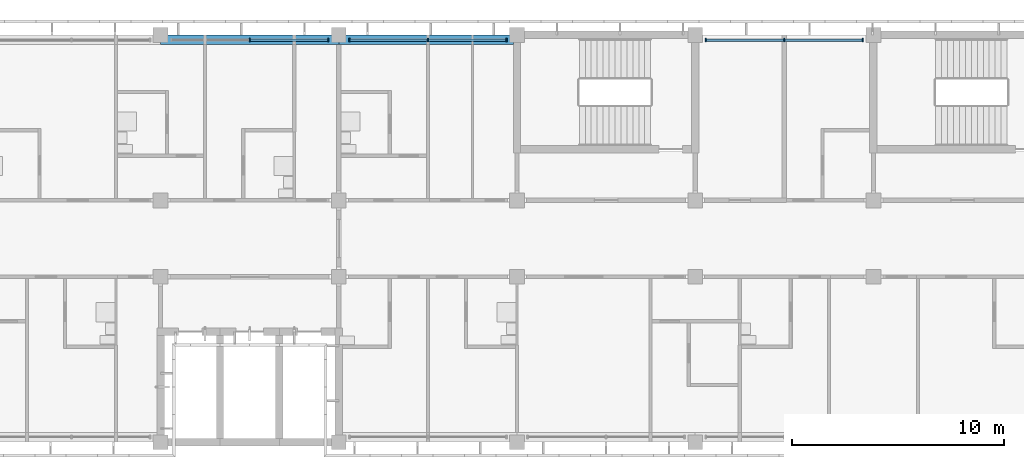
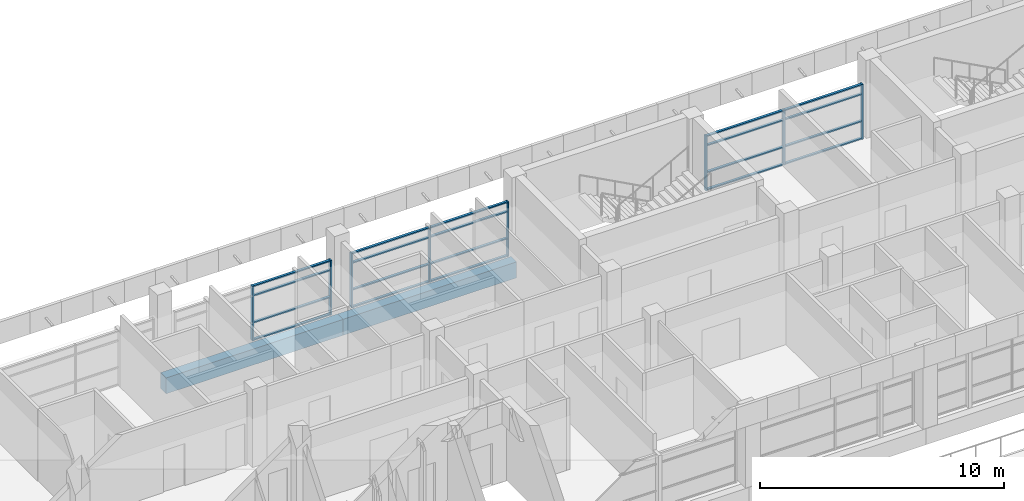
# One storey, part 6 of 46: 28 members, 2 beams, 3 elements without a shape of their own.
"""IFC4 building model written with IfcOpenShell, lengths in metres."""

from ifc_helpers import new_model, si_unit, direction, frame, origin, origin_2d, place, context, subcontext, project, spatial, rectangle, extrude, material, material_profile, profile_set, type_object, element, aggregate, save


model = new_model("IFC4")

# Units and contexts
model_context = context("Model", 3, precision=1e-05, world=origin(), true_north=direction((0.0, 1.0)))
body_context = subcontext(model_context, "Body", "Model", "MODEL_VIEW")
ifc_project = project(units=[si_unit("LENGTHUNIT", "METRE"), si_unit("AREAUNIT", "SQUARE_METRE"), si_unit("VOLUMEUNIT", "CUBIC_METRE"), si_unit("PLANEANGLEUNIT", "RADIAN"), si_unit("MASSUNIT", "GRAM", prefix="KILO")], contexts=[model_context])

# Site, building, storey
site_placement = place(None, origin())
site = spatial("IfcSite", under=ifc_project, at=site_placement, CompositionType="ELEMENT")
building_placement = place(site_placement, origin())
building = spatial("IfcBuilding", under=site, at=building_placement, Name="Bougainvillea Quay General Hospital", CompositionType="ELEMENT")
storey_placement = place(building_placement, frame((0.0, 0.0, 28.800048828125)))
storey = spatial("IfcBuildingStorey", under=building, at=storey_placement, Name="L06", CompositionType="ELEMENT", Elevation=28.800048828125)

# Curtain wall, members
ifc_material_1 = material(Name="Aluminium curtain wall system, powder-coated glazed", Category="aluminium")
curtain_wall_type = type_object("IfcCurtainWallType", Name="Unitised curtain wall CW-3730", PredefinedType="NOTDEFINED", material=ifc_material_1)
curtain_wall_1_placement = place(storey_placement, origin())
curtain_wall_1 = element("IfcCurtainWall", 1, at=curtain_wall_1_placement, inside=storey, type_object=curtain_wall_type, Name="CW-4200 07", PredefinedType="NOTDEFINED")
ifc_material_2 = material(Name="Aluminium mullion, powder-coated charcoal", Category="aluminium")
ifc_material_profile_1 = material_profile(ifc_material_2, rectangle(XDim=0.159912109375, YDim=0.06005859375, at=origin_2d()))
ifc_profile_set_1 = profile_set([ifc_material_profile_1], Name="Aluminium mullion, powder-coated charcoal")
member_type_1 = type_object("IfcMemberType", Name="Curtain wall mullion 160x60", PredefinedType="MULLION", material=ifc_profile_set_1)
member_1_placement = place(storey_placement, frame((100.300048828125, 159.35009765625, 0.0), z_axis=(0.0, 0.0, 1.0), x_axis=(0.0, -1.0, 0.0)))
member_1 = element("IfcMember", 2, at=member_1_placement, type_object=member_type_1, Name="CW-4200 mullion 1", PredefinedType="MULLION", context=body_context, shape_type="SweptSolid", body=[
    extrude(rectangle(XDim=0.159912109375, YDim=0.06005859375, at=origin_2d()), origin(), (0.0, 0.0, 1.0), 2.75),
])
member_2_placement = place(storey_placement, frame((96.60009765625, 159.35009765625, 0.0), z_axis=(0.0, 0.0, 1.0), x_axis=(0.0, -1.0, 0.0)))
member_2 = element("IfcMember", 3, at=member_2_placement, type_object=member_type_1, Name="CW-4200 mullion 2", PredefinedType="MULLION", context=body_context, shape_type="SweptSolid", body=[
    extrude(rectangle(XDim=0.159912109375, YDim=0.06005859375, at=origin_2d()), origin(), (0.0, 0.0, 1.0), 2.75),
])
member_3_placement = place(storey_placement, frame((92.89990234375, 159.35009765625, 0.0), z_axis=(0.0, 0.0, 1.0), x_axis=(0.0, -1.0, 0.0)))
member_3 = element("IfcMember", 4, at=member_3_placement, type_object=member_type_1, Name="CW-4200 mullion 3", PredefinedType="MULLION", context=body_context, shape_type="SweptSolid", body=[
    extrude(rectangle(XDim=0.159912109375, YDim=0.06005859375, at=origin_2d()), origin(), (0.0, 0.0, 1.0), 2.75),
])

curtain_wall_2_placement = place(storey_placement, origin())
curtain_wall_2 = element("IfcCurtainWall", 5, at=curtain_wall_2_placement, inside=storey, type_object=curtain_wall_type, Name="CW-4200 08", PredefinedType="NOTDEFINED")
member_4_placement = place(storey_placement, frame((83.5, 159.35009765625, 0.0), z_axis=(0.0, 0.0, 1.0), x_axis=(0.0, -1.0, 0.0)))
member_4 = element("IfcMember", 6, at=member_4_placement, type_object=member_type_1, Name="CW-4200 mullion 1", PredefinedType="MULLION", context=body_context, shape_type="SweptSolid", body=[
    extrude(rectangle(XDim=0.159912109375, YDim=0.06005859375, at=origin_2d()), origin(), (0.0, 0.0, 1.0), 2.75),
])
member_5_placement = place(storey_placement, frame((79.800048828125, 159.35009765625, 0.0), z_axis=(0.0, 0.0, 1.0), x_axis=(0.0, -1.0, 0.0)))
member_5 = element("IfcMember", 7, at=member_5_placement, type_object=member_type_1, Name="CW-4200 mullion 2", PredefinedType="MULLION", context=body_context, shape_type="SweptSolid", body=[
    extrude(rectangle(XDim=0.159912109375, YDim=0.06005859375, at=origin_2d()), origin(), (0.0, 0.0, 1.0), 2.75),
])
member_6_placement = place(storey_placement, frame((76.10009765625, 159.35009765625, 0.0), z_axis=(0.0, 0.0, 1.0), x_axis=(0.0, -1.0, 0.0)))
member_6 = element("IfcMember", 8, at=member_6_placement, type_object=member_type_1, Name="CW-4200 mullion 3", PredefinedType="MULLION", context=body_context, shape_type="SweptSolid", body=[
    extrude(rectangle(XDim=0.159912109375, YDim=0.06005859375, at=origin_2d()), origin(), (0.0, 0.0, 1.0), 2.75),
])

curtain_wall_3_placement = place(storey_placement, origin())
curtain_wall_3 = element("IfcCurtainWall", 9, at=curtain_wall_3_placement, inside=storey, type_object=curtain_wall_type, Name="CW-4200 09", PredefinedType="NOTDEFINED")
member_7_placement = place(storey_placement, frame((75.10009765625, 159.35009765625, 0.0), z_axis=(0.0, 0.0, 1.0), x_axis=(0.0, -1.0, 0.0)))
member_7 = element("IfcMember", 10, at=member_7_placement, type_object=member_type_1, Name="CW-4200 mullion 1", PredefinedType="MULLION", context=body_context, shape_type="SweptSolid", body=[
    extrude(rectangle(XDim=0.159912109375, YDim=0.06005859375, at=origin_2d()), origin(), (0.0, 0.0, 1.0), 2.75),
])
member_8_placement = place(storey_placement, frame((71.39990234375, 159.35009765625, 0.0), z_axis=(0.0, 0.0, 1.0), x_axis=(0.0, -1.0, 0.0)))
member_8 = element("IfcMember", 11, at=member_8_placement, type_object=member_type_1, Name="CW-4200 mullion 2", PredefinedType="MULLION", context=body_context, shape_type="SweptSolid", body=[
    extrude(rectangle(XDim=0.159912109375, YDim=0.06005859375, at=origin_2d()), origin(), (0.0, 0.0, 1.0), 2.75),
])

# Member
ifc_material_3 = material(Name="Aluminium transom, powder-coated charcoal", Category="aluminium")
ifc_material_profile_2 = material_profile(ifc_material_3, rectangle(XDim=0.1201171875, YDim=0.06005859375, at=origin_2d()))
ifc_profile_set_2 = profile_set([ifc_material_profile_2], Name="Aluminium transom, powder-coated charcoal")
member_type_2 = type_object("IfcMemberType", Name="Curtain wall transom 120x60", PredefinedType="USERDEFINED", material=ifc_profile_set_2)
member_9_placement = place(storey_placement, frame((100.27001953125, 159.35009765625, 0.030029296875), z_axis=(-1.0, 0.0, 0.0), x_axis=(0.0, -1.0, 0.0)))
member_9 = element("IfcMember", 12, at=member_9_placement, type_object=member_type_2, Name="CW-4200 transom 1.1", ObjectType="TRANSOM", PredefinedType="USERDEFINED", context=body_context, shape_type="SweptSolid", body=[
    extrude(rectangle(XDim=0.1201171875, YDim=0.06005859375, at=origin_2d()), origin(), (0.0, 0.0, 1.0), 3.64013671875),
])

member_10_placement = place(storey_placement, frame((100.27001953125, 159.35009765625, 0.89990234375), z_axis=(-1.0, 0.0, 0.0), x_axis=(0.0, -1.0, 0.0)))
member_10 = element("IfcMember", 13, at=member_10_placement, type_object=member_type_2, Name="CW-4200 transom 1.2", ObjectType="TRANSOM", PredefinedType="USERDEFINED", context=body_context, shape_type="SweptSolid", body=[
    extrude(rectangle(XDim=0.1201171875, YDim=0.06005859375, at=origin_2d()), origin(), (0.0, 0.0, 1.0), 3.64013671875),
])

member_11_placement = place(storey_placement, frame((100.27001953125, 159.35009765625, 2.25), z_axis=(-1.0, 0.0, 0.0), x_axis=(0.0, -1.0, 0.0)))
member_11 = element("IfcMember", 14, at=member_11_placement, type_object=member_type_2, Name="CW-4200 transom 1.3", ObjectType="TRANSOM", PredefinedType="USERDEFINED", context=body_context, shape_type="SweptSolid", body=[
    extrude(rectangle(XDim=0.1201171875, YDim=0.06005859375, at=origin_2d()), origin(), (0.0, 0.0, 1.0), 3.64013671875),
])

member_12_placement = place(storey_placement, frame((100.27001953125, 159.35009765625, 2.719970703125), z_axis=(-1.0, 0.0, 0.0), x_axis=(0.0, -1.0, 0.0)))
member_12 = element("IfcMember", 15, at=member_12_placement, type_object=member_type_2, Name="CW-4200 transom 1.4", ObjectType="TRANSOM", PredefinedType="USERDEFINED", context=body_context, shape_type="SweptSolid", body=[
    extrude(rectangle(XDim=0.1201171875, YDim=0.06005859375, at=origin_2d()), origin(), (0.0, 0.0, 1.0), 3.64013671875),
])

member_13_placement = place(storey_placement, frame((96.570068359375, 159.35009765625, 0.030029296875), z_axis=(-1.0, 0.0, 0.0), x_axis=(0.0, -1.0, 0.0)))
member_13 = element("IfcMember", 16, at=member_13_placement, type_object=member_type_2, Name="CW-4200 transom 2.1", ObjectType="TRANSOM", PredefinedType="USERDEFINED", context=body_context, shape_type="SweptSolid", body=[
    extrude(rectangle(XDim=0.1201171875, YDim=0.06005859375, at=origin_2d()), origin(), (0.0, 0.0, 1.0), 3.64013671875),
])

member_14_placement = place(storey_placement, frame((96.570068359375, 159.35009765625, 0.89990234375), z_axis=(-1.0, 0.0, 0.0), x_axis=(0.0, -1.0, 0.0)))
member_14 = element("IfcMember", 17, at=member_14_placement, type_object=member_type_2, Name="CW-4200 transom 2.2", ObjectType="TRANSOM", PredefinedType="USERDEFINED", context=body_context, shape_type="SweptSolid", body=[
    extrude(rectangle(XDim=0.1201171875, YDim=0.06005859375, at=origin_2d()), origin(), (0.0, 0.0, 1.0), 3.64013671875),
])

member_15_placement = place(storey_placement, frame((96.570068359375, 159.35009765625, 2.25), z_axis=(-1.0, 0.0, 0.0), x_axis=(0.0, -1.0, 0.0)))
member_15 = element("IfcMember", 18, at=member_15_placement, type_object=member_type_2, Name="CW-4200 transom 2.3", ObjectType="TRANSOM", PredefinedType="USERDEFINED", context=body_context, shape_type="SweptSolid", body=[
    extrude(rectangle(XDim=0.1201171875, YDim=0.06005859375, at=origin_2d()), origin(), (0.0, 0.0, 1.0), 3.64013671875),
])

member_16_placement = place(storey_placement, frame((96.570068359375, 159.35009765625, 2.719970703125), z_axis=(-1.0, 0.0, 0.0), x_axis=(0.0, -1.0, 0.0)))
member_16 = element("IfcMember", 19, at=member_16_placement, type_object=member_type_2, Name="CW-4200 transom 2.4", ObjectType="TRANSOM", PredefinedType="USERDEFINED", context=body_context, shape_type="SweptSolid", body=[
    extrude(rectangle(XDim=0.1201171875, YDim=0.06005859375, at=origin_2d()), origin(), (0.0, 0.0, 1.0), 3.64013671875),
])

aggregate(curtain_wall_1, [member_1, member_2, member_3, member_9, member_10, member_11, member_12, member_13, member_14, member_15, member_16])

member_17_placement = place(storey_placement, frame((83.469970703125, 159.35009765625, 0.030029296875), z_axis=(-1.0, 0.0, 0.0), x_axis=(0.0, -1.0, 0.0)))
member_17 = element("IfcMember", 20, at=member_17_placement, type_object=member_type_2, Name="CW-4200 transom 1.1", ObjectType="TRANSOM", PredefinedType="USERDEFINED", context=body_context, shape_type="SweptSolid", body=[
    extrude(rectangle(XDim=0.1201171875, YDim=0.06005859375, at=origin_2d()), origin(), (0.0, 0.0, 1.0), 3.639892578125),
])

member_18_placement = place(storey_placement, frame((83.469970703125, 159.35009765625, 0.89990234375), z_axis=(-1.0, 0.0, 0.0), x_axis=(0.0, -1.0, 0.0)))
member_18 = element("IfcMember", 21, at=member_18_placement, type_object=member_type_2, Name="CW-4200 transom 1.2", ObjectType="TRANSOM", PredefinedType="USERDEFINED", context=body_context, shape_type="SweptSolid", body=[
    extrude(rectangle(XDim=0.1201171875, YDim=0.06005859375, at=origin_2d()), origin(), (0.0, 0.0, 1.0), 3.639892578125),
])

member_19_placement = place(storey_placement, frame((83.469970703125, 159.35009765625, 2.25), z_axis=(-1.0, 0.0, 0.0), x_axis=(0.0, -1.0, 0.0)))
member_19 = element("IfcMember", 22, at=member_19_placement, type_object=member_type_2, Name="CW-4200 transom 1.3", ObjectType="TRANSOM", PredefinedType="USERDEFINED", context=body_context, shape_type="SweptSolid", body=[
    extrude(rectangle(XDim=0.1201171875, YDim=0.06005859375, at=origin_2d()), origin(), (0.0, 0.0, 1.0), 3.639892578125),
])

member_20_placement = place(storey_placement, frame((83.469970703125, 159.35009765625, 2.719970703125), z_axis=(-1.0, 0.0, 0.0), x_axis=(0.0, -1.0, 0.0)))
member_20 = element("IfcMember", 23, at=member_20_placement, type_object=member_type_2, Name="CW-4200 transom 1.4", ObjectType="TRANSOM", PredefinedType="USERDEFINED", context=body_context, shape_type="SweptSolid", body=[
    extrude(rectangle(XDim=0.1201171875, YDim=0.06005859375, at=origin_2d()), origin(), (0.0, 0.0, 1.0), 3.639892578125),
])

member_21_placement = place(storey_placement, frame((79.77001953125, 159.35009765625, 0.030029296875), z_axis=(-1.0, 0.0, 0.0), x_axis=(0.0, -1.0, 0.0)))
member_21 = element("IfcMember", 24, at=member_21_placement, type_object=member_type_2, Name="CW-4200 transom 2.1", ObjectType="TRANSOM", PredefinedType="USERDEFINED", context=body_context, shape_type="SweptSolid", body=[
    extrude(rectangle(XDim=0.1201171875, YDim=0.06005859375, at=origin_2d()), origin(), (0.0, 0.0, 1.0), 3.64013671875),
])

member_22_placement = place(storey_placement, frame((79.77001953125, 159.35009765625, 0.89990234375), z_axis=(-1.0, 0.0, 0.0), x_axis=(0.0, -1.0, 0.0)))
member_22 = element("IfcMember", 25, at=member_22_placement, type_object=member_type_2, Name="CW-4200 transom 2.2", ObjectType="TRANSOM", PredefinedType="USERDEFINED", context=body_context, shape_type="SweptSolid", body=[
    extrude(rectangle(XDim=0.1201171875, YDim=0.06005859375, at=origin_2d()), origin(), (0.0, 0.0, 1.0), 3.64013671875),
])

member_23_placement = place(storey_placement, frame((79.77001953125, 159.35009765625, 2.25), z_axis=(-1.0, 0.0, 0.0), x_axis=(0.0, -1.0, 0.0)))
member_23 = element("IfcMember", 26, at=member_23_placement, type_object=member_type_2, Name="CW-4200 transom 2.3", ObjectType="TRANSOM", PredefinedType="USERDEFINED", context=body_context, shape_type="SweptSolid", body=[
    extrude(rectangle(XDim=0.1201171875, YDim=0.06005859375, at=origin_2d()), origin(), (0.0, 0.0, 1.0), 3.64013671875),
])

member_24_placement = place(storey_placement, frame((79.77001953125, 159.35009765625, 2.719970703125), z_axis=(-1.0, 0.0, 0.0), x_axis=(0.0, -1.0, 0.0)))
member_24 = element("IfcMember", 27, at=member_24_placement, type_object=member_type_2, Name="CW-4200 transom 2.4", ObjectType="TRANSOM", PredefinedType="USERDEFINED", context=body_context, shape_type="SweptSolid", body=[
    extrude(rectangle(XDim=0.1201171875, YDim=0.06005859375, at=origin_2d()), origin(), (0.0, 0.0, 1.0), 3.64013671875),
])

aggregate(curtain_wall_2, [member_4, member_5, member_6, member_17, member_18, member_19, member_20, member_21, member_22, member_23, member_24])

member_25_placement = place(storey_placement, frame((75.070068359375, 159.35009765625, 0.030029296875), z_axis=(-1.0, 0.0, 0.0), x_axis=(0.0, -1.0, 0.0)))
member_25 = element("IfcMember", 28, at=member_25_placement, type_object=member_type_2, Name="CW-4200 transom 1.1", ObjectType="TRANSOM", PredefinedType="USERDEFINED", context=body_context, shape_type="SweptSolid", body=[
    extrude(rectangle(XDim=0.1201171875, YDim=0.06005859375, at=origin_2d()), origin(), (0.0, 0.0, 1.0), 3.64013671875),
])

member_26_placement = place(storey_placement, frame((75.070068359375, 159.35009765625, 0.89990234375), z_axis=(-1.0, 0.0, 0.0), x_axis=(0.0, -1.0, 0.0)))
member_26 = element("IfcMember", 29, at=member_26_placement, type_object=member_type_2, Name="CW-4200 transom 1.2", ObjectType="TRANSOM", PredefinedType="USERDEFINED", context=body_context, shape_type="SweptSolid", body=[
    extrude(rectangle(XDim=0.1201171875, YDim=0.06005859375, at=origin_2d()), origin(), (0.0, 0.0, 1.0), 3.64013671875),
])

member_27_placement = place(storey_placement, frame((75.070068359375, 159.35009765625, 2.25), z_axis=(-1.0, 0.0, 0.0), x_axis=(0.0, -1.0, 0.0)))
member_27 = element("IfcMember", 30, at=member_27_placement, type_object=member_type_2, Name="CW-4200 transom 1.3", ObjectType="TRANSOM", PredefinedType="USERDEFINED", context=body_context, shape_type="SweptSolid", body=[
    extrude(rectangle(XDim=0.1201171875, YDim=0.06005859375, at=origin_2d()), origin(), (0.0, 0.0, 1.0), 3.64013671875),
])

member_28_placement = place(storey_placement, frame((75.070068359375, 159.35009765625, 2.719970703125), z_axis=(-1.0, 0.0, 0.0), x_axis=(0.0, -1.0, 0.0)))
member_28 = element("IfcMember", 31, at=member_28_placement, type_object=member_type_2, Name="CW-4200 transom 1.4", ObjectType="TRANSOM", PredefinedType="USERDEFINED", context=body_context, shape_type="SweptSolid", body=[
    extrude(rectangle(XDim=0.1201171875, YDim=0.06005859375, at=origin_2d()), origin(), (0.0, 0.0, 1.0), 3.64013671875),
])

aggregate(curtain_wall_3, [member_7, member_8, member_25, member_26, member_27, member_28])

# Beams
ifc_material_4 = material(Name="Concrete C40", Category="concrete")
ifc_material_profile_3 = material_profile(ifc_material_4, rectangle(XDim=0.449951171875, YDim=0.800048828125, at=origin_2d()))
ifc_profile_set_3 = profile_set([ifc_material_profile_3], Name="Concrete C40")
beam_type = type_object("IfcBeamType", Name="RC BEAM 450x800 C40", PredefinedType="BEAM", material=ifc_profile_set_3)
beam_1_placement = place(storey_placement, frame((83.824951171875, 159.375, -0.699951171875), z_axis=(-1.0, 0.0, 0.0), x_axis=(0.0, -1.0, 0.0)))
element("IfcBeam", 32, at=beam_1_placement, inside=storey, type_object=beam_type, Name="Edge beam L06", PredefinedType="BEAM", context=body_context, shape_type="SweptSolid", body=[
    extrude(rectangle(XDim=0.449951171875, YDim=0.800048828125, at=origin_2d()), origin(), (0.0, 0.0, 1.0), 8.224853515625),
])
beam_2_placement = place(storey_placement, frame((75.60009765625, 159.375, -0.699951171875), z_axis=(-1.0, 0.0, 0.0), x_axis=(0.0, -1.0, 0.0)))
element("IfcBeam", 33, at=beam_2_placement, inside=storey, type_object=beam_type, Name="Edge beam L06", PredefinedType="BEAM", context=body_context, shape_type="SweptSolid", body=[
    extrude(rectangle(XDim=0.449951171875, YDim=0.800048828125, at=origin_2d()), origin(), (0.0, 0.0, 1.0), 8.400146484375),
])

save(model, "model.ifc")
